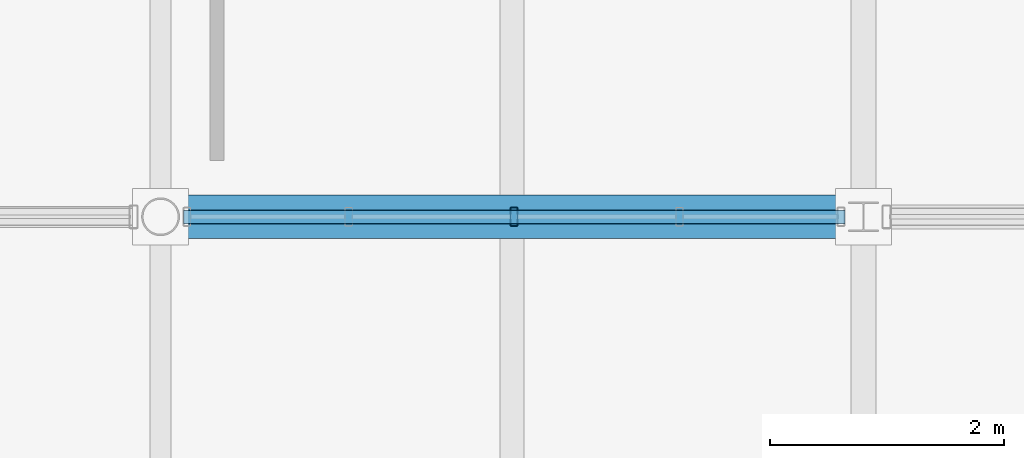
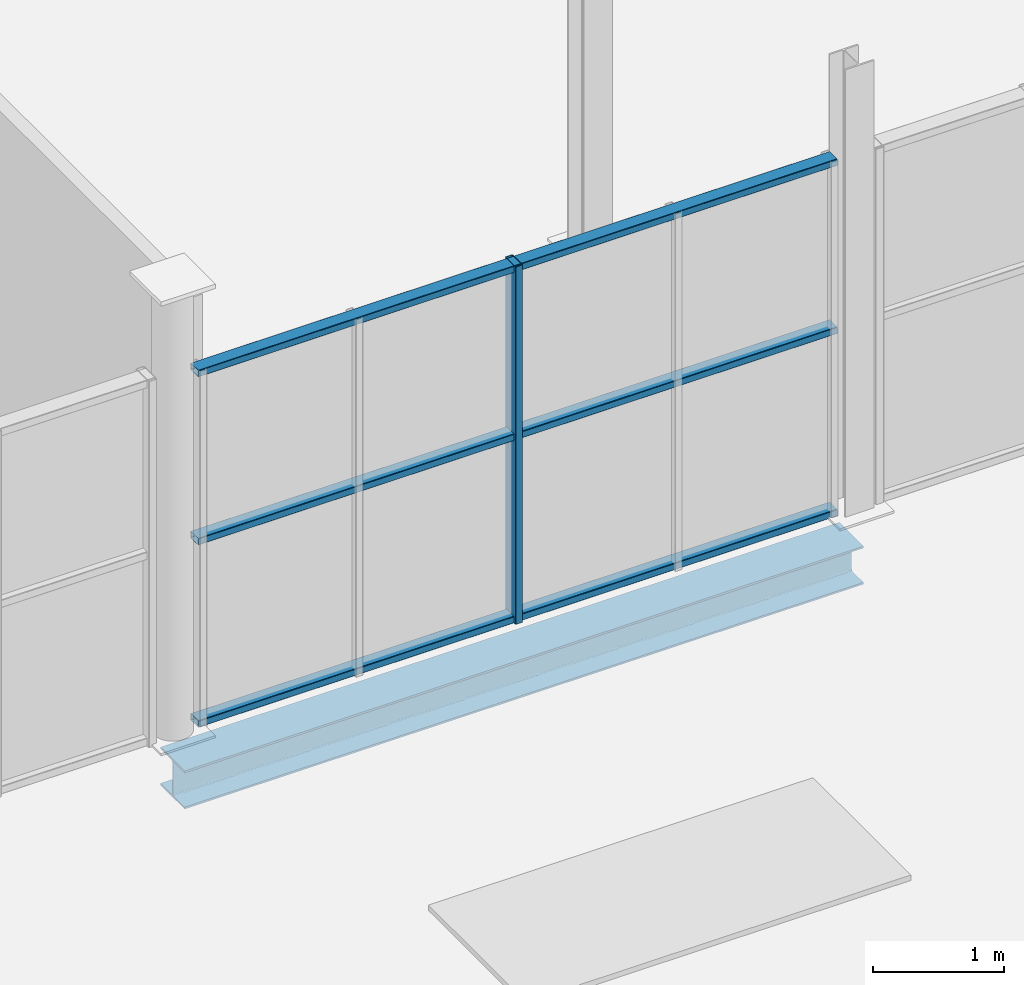
# One storey, part 5 of 27: 4 members, 1 beam, 1 element without a shape of its own.
"""IFC4 building model written with IfcOpenShell, lengths in metres."""

from ifc_helpers import new_model, si_unit, direction, frame, origin, origin_2d, place, context, subcontext, project, spatial, hollow_rectangle, i_section, extrude, material, material_profile, profile_set, type_object, element, aggregate, save


model = new_model("IFC4")

# Units and contexts
model_context = context("Model", 3, precision=1e-05, world=origin(), true_north=direction((0.0, 1.0)))
body_context = subcontext(model_context, "Body", "Model", "MODEL_VIEW")
ifc_project = project(units=[si_unit("LENGTHUNIT", "METRE"), si_unit("AREAUNIT", "SQUARE_METRE"), si_unit("VOLUMEUNIT", "CUBIC_METRE"), si_unit("PLANEANGLEUNIT", "RADIAN"), si_unit("MASSUNIT", "GRAM", prefix="KILO")], contexts=[model_context])

# Site, building, storey
site_placement = place(None, origin())
site = spatial("IfcSite", under=ifc_project, at=site_placement, CompositionType="ELEMENT")
building_placement = place(site_placement, origin())
building = spatial("IfcBuilding", under=site, at=building_placement, Name="Verrall Gate Interchange", CompositionType="ELEMENT")
storey_placement = place(building_placement, frame((0.0, 0.0, 28.60009765625)))
storey = spatial("IfcBuildingStorey", under=building, at=storey_placement, Name="L07", CompositionType="ELEMENT", Elevation=28.60009765625)

# Beam
ifc_material_1 = material(Name="Structural Steel CSA G40.21 350W", Category="steel")
ifc_material_profile_1 = material_profile(ifc_material_1, i_section(OverallWidth=0.368896484375, OverallDepth=0.35595703125, WebThickness=0.01123046875, FlangeThickness=0.01806640625, FilletRadius=0.014892578125, at=origin_2d()), Name="W360x134")
ifc_profile_set_1 = profile_set([ifc_material_profile_1], Name="Structural Steel CSA G40.21 350W")
beam_type = type_object("IfcBeamType", Name="B-13 Structural Beam W360x134", PredefinedType="BEAM", material=ifc_profile_set_1)
beam_placement = place(storey_placement, frame((18.0, 12.0, -0.43798828125), z_axis=(1.0, 0.0, 0.0), x_axis=(0.0, 1.0, 0.0)))
element("IfcBeam", 1, at=beam_placement, inside=storey, type_object=beam_type, Name="L07 Girder BM-L07-3229 (B-13)", PredefinedType="BEAM", context=body_context, shape_type="SweptSolid", body=[
    extrude(i_section(OverallWidth=0.368896484375, OverallDepth=0.35595703125, WebThickness=0.01123046875, FlangeThickness=0.01806640625, FilletRadius=0.014892578125, at=origin_2d()), origin(), (0.0, 0.0, 1.0), 6.0),
])

# Curtain wall, members
ifc_material_2 = material(Name="Thermally Broken Anodized Aluminium Curtain Wall Framing", Category="aluminium")
curtain_wall_type = type_object("IfcCurtainWallType", Name="CW-43 Unitized Curtain Wall 5612x3310", PredefinedType="NOTDEFINED", material=ifc_material_2)
curtain_wall_placement = place(storey_placement, origin())
curtain_wall = element("IfcCurtainWall", 2, at=curtain_wall_placement, inside=storey, type_object=curtain_wall_type, Name="L07 Unitized Curtain Wall CW-L07-154", PredefinedType="NOTDEFINED")
ifc_material_3 = material(Name="Thermally Broken Anodized Aluminium Curtain Wall Framing", Category="aluminium")
ifc_material_profile_2 = material_profile(ifc_material_3, hollow_rectangle(XDim=0.06494140625, YDim=0.159912109375, WallThickness=0.00390625, InnerFilletRadius=0.00390625, OuterFilletRadius=0.008056640625, at=origin_2d()), Name="CWM160x65x4")
ifc_profile_set_2 = profile_set([ifc_material_profile_2], Name="Thermally Broken Anodized Aluminium Curtain Wall Framing")
member_type_1 = type_object("IfcMemberType", Name="CM-01 Curtain Mullion CWM160x65x4", PredefinedType="MULLION", material=ifc_profile_set_2)
member_1_placement = place(storey_placement, frame((21.017578125, 12.0, 0.0), z_axis=(0.0, 0.0, 1.0), x_axis=(1.0, 0.0, 0.0)))
member_1 = element("IfcMember", 3, at=member_1_placement, type_object=member_type_1, Name="CW-L07-154 Mullion 3", PredefinedType="MULLION", context=body_context, shape_type="SweptSolid", body=[
    extrude(hollow_rectangle(XDim=0.06494140625, YDim=0.159912109375, WallThickness=0.00390625, InnerFilletRadius=0.00390625, OuterFilletRadius=0.008056640625, at=origin_2d()), origin(), (0.0, 0.0, 1.0), 3.33984375),
])
ifc_material_4 = material(Name="Thermally Broken Anodized Aluminium Curtain Wall Framing", Category="aluminium")
ifc_material_profile_3 = material_profile(ifc_material_4, hollow_rectangle(XDim=0.1201171875, YDim=0.06494140625, WallThickness=0.00390625, InnerFilletRadius=0.00390625, OuterFilletRadius=0.008056640625, at=origin_2d()), Name="CWT120x65x4")
ifc_profile_set_3 = profile_set([ifc_material_profile_3], Name="Thermally Broken Anodized Aluminium Curtain Wall Framing")
member_type_2 = type_object("IfcMemberType", Name="CT-01 Curtain Transom CWT120x65x4", PredefinedType="USERDEFINED", material=ifc_profile_set_3)
member_2_placement = place(storey_placement, frame((18.194091796875, 12.0, 0.032470703125), z_axis=(1.0, 0.0, 0.0), x_axis=(0.0, 1.0, 0.0)))
member_2 = element("IfcMember", 4, at=member_2_placement, type_object=member_type_2, Name="CW-L07-154 Transom 1", ObjectType="TRANSOM", PredefinedType="USERDEFINED", context=body_context, shape_type="SweptSolid", body=[
    extrude(hollow_rectangle(XDim=0.1201171875, YDim=0.06494140625, WallThickness=0.00390625, InnerFilletRadius=0.00390625, OuterFilletRadius=0.008056640625, at=origin_2d()), origin(), (0.0, 0.0, 1.0), 5.64697265625),
])
member_3_placement = place(storey_placement, frame((18.194091796875, 12.0, 1.73681640625), z_axis=(1.0, 0.0, 0.0), x_axis=(0.0, 1.0, 0.0)))
member_3 = element("IfcMember", 5, at=member_3_placement, type_object=member_type_2, Name="CW-L07-154 Transom 2", ObjectType="TRANSOM", PredefinedType="USERDEFINED", context=body_context, shape_type="SweptSolid", body=[
    extrude(hollow_rectangle(XDim=0.1201171875, YDim=0.06494140625, WallThickness=0.00390625, InnerFilletRadius=0.00390625, OuterFilletRadius=0.008056640625, at=origin_2d()), origin(), (0.0, 0.0, 1.0), 5.64697265625),
])
member_4_placement = place(storey_placement, frame((18.194091796875, 12.0, 3.307373046875), z_axis=(1.0, 0.0, 0.0), x_axis=(0.0, 1.0, 0.0)))
member_4 = element("IfcMember", 6, at=member_4_placement, type_object=member_type_2, Name="CW-L07-154 Transom 3", ObjectType="TRANSOM", PredefinedType="USERDEFINED", context=body_context, shape_type="SweptSolid", body=[
    extrude(hollow_rectangle(XDim=0.1201171875, YDim=0.06494140625, WallThickness=0.00390625, InnerFilletRadius=0.00390625, OuterFilletRadius=0.008056640625, at=origin_2d()), origin(), (0.0, 0.0, 1.0), 5.64697265625),
])
aggregate(curtain_wall, [member_1, member_2, member_3, member_4])

save(model, "model.ifc")
